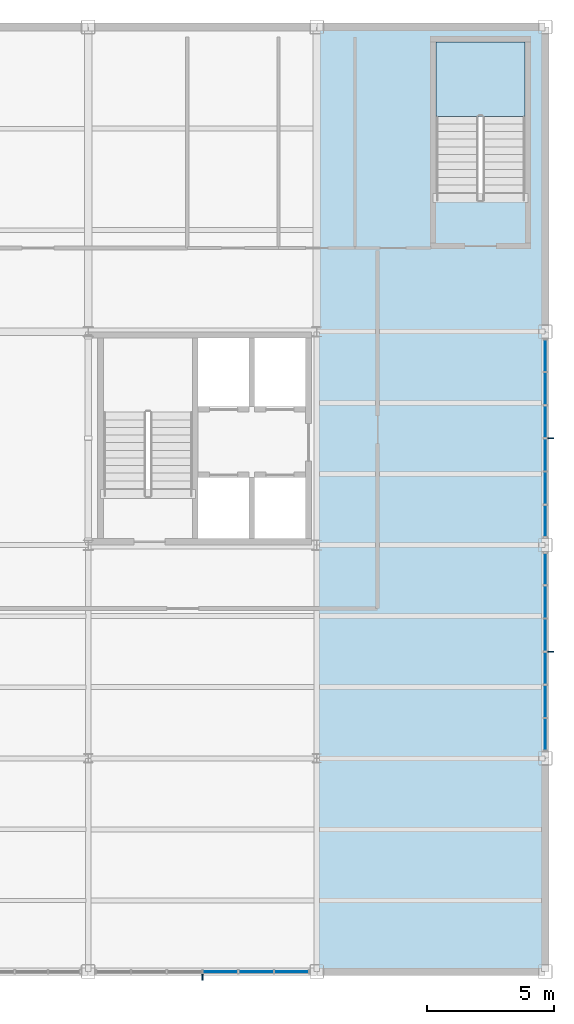
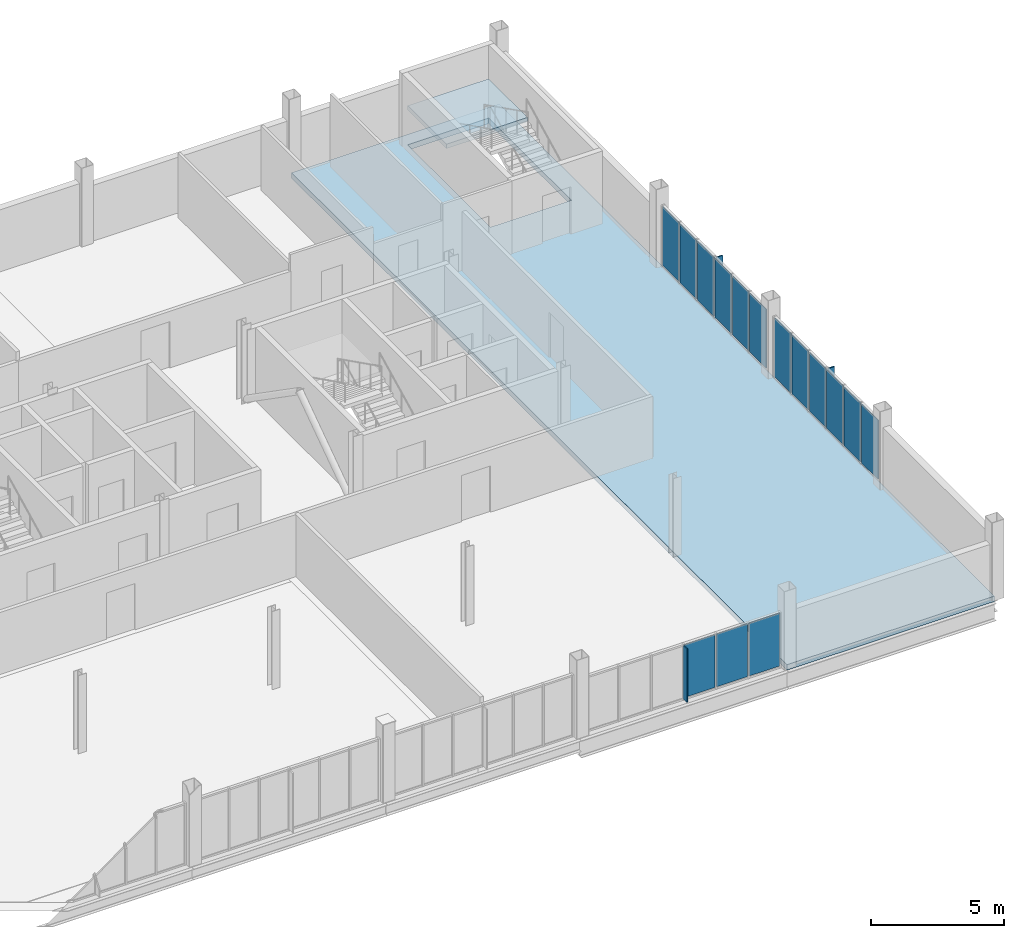
# One storey, part 13 of 18: 18 plates, 2 slabs, 4 elements without a shape of their own.
"""IFC4 building model written with IfcOpenShell, lengths in metres."""

from ifc_helpers import new_model, si_unit, direction, frame, origin, origin_2d, place, context, subcontext, project, spatial, polyline, rectangle, outline, extrude, material, layer, layer_set, type_object, element, aggregate, save


model = new_model("IFC4")

# Units and contexts
model_context = context("Model", 3, precision=1e-05, world=origin(), true_north=direction((0.0, 1.0)))
body_context = subcontext(model_context, "Body", "Model", "MODEL_VIEW")
ifc_project = project(units=[si_unit("LENGTHUNIT", "METRE"), si_unit("AREAUNIT", "SQUARE_METRE"), si_unit("VOLUMEUNIT", "CUBIC_METRE"), si_unit("PLANEANGLEUNIT", "RADIAN"), si_unit("MASSUNIT", "GRAM", prefix="KILO")], contexts=[model_context])

# Site, building, storey
site_placement = place(None, origin())
site = spatial("IfcSite", under=ifc_project, at=site_placement, CompositionType="ELEMENT")
building_placement = place(site_placement, origin())
building = spatial("IfcBuilding", under=site, at=building_placement, Name="Yukiwa Park Conservatory and Herbarium", CompositionType="ELEMENT")
storey_placement = place(building_placement, frame((0.0, 0.0, 24.60009765625)))
storey = spatial("IfcBuildingStorey", under=building, at=storey_placement, Name="L06", CompositionType="ELEMENT", Elevation=24.60009765625)

# Curtain wall, plates
ifc_material_1 = material(Name="Triple Low-E Insulated Glass", Category="glass")
ifc_layer_1 = layer(ifc_material_1, 0.248046875)
ifc_layer_set_1 = layer_set([ifc_layer_1], Name="Triple Low-E Insulated Glass")
curtain_wall_type_1 = type_object("IfcCurtainWallType", Name="CW-TOWER-LAB-S-1400", PredefinedType="NOTDEFINED", material=ifc_layer_set_1)
curtain_wall_1_placement = place(storey_placement, origin())
curtain_wall_1 = element("IfcCurtainWall", 1, at=curtain_wall_1_placement, inside=storey, type_object=curtain_wall_type_1, Name="L06 unitised curtain wall CW-L06-085", PredefinedType="NOTDEFINED")
ifc_material_2 = material(Name="Triple Low-E Insulated Glass", Category="glass")
ifc_layer_2 = layer(ifc_material_2, 0.035888671875)
ifc_layer_set_2 = layer_set([ifc_layer_2], Name="Triple Low-E Insulated Glass")
plate_type_1 = type_object("IfcPlateType", Name="PL-CW-GLZ-36", PredefinedType="CURTAIN_PANEL", material=ifc_layer_set_2)
plate_1_placement = place(storey_placement, frame((155.2041015625, 78.0, 0.06982421875), z_axis=(0.0, 0.0, 1.0), x_axis=(1.0, 0.0, 0.0)))
plate_1 = element("IfcPlate", 2, at=plate_1_placement, type_object=plate_type_1, Name="CW-L06-085 vision panel 4.1", PredefinedType="CURTAIN_PANEL", context=body_context, shape_type="SweptSolid", body=[
    extrude(rectangle(XDim=1.33837890625, YDim=0.035888671875, at=origin_2d()), origin(), (0.0, 0.0, 1.0), 2.4130859375),
])
plate_2_placement = place(storey_placement, frame((156.612548828125, 78.0, 0.06982421875), z_axis=(0.0, 0.0, 1.0), x_axis=(1.0, 0.0, 0.0)))
plate_2 = element("IfcPlate", 3, at=plate_2_placement, type_object=plate_type_1, Name="CW-L06-085 vision panel 5.1", PredefinedType="CURTAIN_PANEL", context=body_context, shape_type="SweptSolid", body=[
    extrude(rectangle(XDim=1.33837890625, YDim=0.035888671875, at=origin_2d()), origin(), (0.0, 0.0, 1.0), 2.4130859375),
])
plate_3_placement = place(storey_placement, frame((158.020751953125, 78.0, 0.06982421875), z_axis=(0.0, 0.0, 1.0), x_axis=(1.0, 0.0, 0.0)))
plate_3 = element("IfcPlate", 4, at=plate_3_placement, type_object=plate_type_1, Name="CW-L06-085 vision panel 6.1", PredefinedType="CURTAIN_PANEL", context=body_context, shape_type="SweptSolid", body=[
    extrude(rectangle(XDim=1.33837890625, YDim=0.035888671875, at=origin_2d()), origin(), (0.0, 0.0, 1.0), 2.4130859375),
])
aggregate(curtain_wall_1, [plate_1, plate_2, plate_3])

ifc_material_3 = material(Name="Triple Low-E Insulated Glass", Category="glass")
ifc_layer_3 = layer(ifc_material_3, 0.22412109375)
ifc_layer_set_3 = layer_set([ifc_layer_3], Name="Triple Low-E Insulated Glass")
curtain_wall_type_2 = type_object("IfcCurtainWallType", Name="CW-TOWER-CORNER-1400", PredefinedType="NOTDEFINED", material=ifc_layer_set_3)
curtain_wall_2_placement = place(storey_placement, origin())
curtain_wall_2 = element("IfcCurtainWall", 5, at=curtain_wall_2_placement, inside=storey, type_object=curtain_wall_type_2, Name="L06 unitised curtain wall CW-L06-086", PredefinedType="NOTDEFINED")
plate_4_placement = place(storey_placement, frame((168.0, 87.3291015625, 0.06982421875), z_axis=(0.0, 0.0, 1.0), x_axis=(0.0, 1.0, 0.0)))
plate_4 = element("IfcPlate", 6, at=plate_4_placement, type_object=plate_type_1, Name="CW-L06-086 vision panel 1.1", PredefinedType="CURTAIN_PANEL", context=body_context, shape_type="SweptSolid", body=[
    extrude(rectangle(XDim=1.23828125, YDim=0.035888671875, at=origin_2d()), origin(), (0.0, 0.0, 1.0), 2.705078125),
])
plate_5_placement = place(storey_placement, frame((168.0, 88.637451171875, 0.06982421875), z_axis=(0.0, 0.0, 1.0), x_axis=(0.0, 1.0, 0.0)))
plate_5 = element("IfcPlate", 7, at=plate_5_placement, type_object=plate_type_1, Name="CW-L06-086 vision panel 2.1", PredefinedType="CURTAIN_PANEL", context=body_context, shape_type="SweptSolid", body=[
    extrude(rectangle(XDim=1.23828125, YDim=0.035888671875, at=origin_2d()), origin(), (0.0, 0.0, 1.0), 2.705078125),
])
plate_6_placement = place(storey_placement, frame((168.0, 89.94580078125, 0.06982421875), z_axis=(0.0, 0.0, 1.0), x_axis=(0.0, 1.0, 0.0)))
plate_6 = element("IfcPlate", 8, at=plate_6_placement, type_object=plate_type_1, Name="CW-L06-086 vision panel 3.1", PredefinedType="CURTAIN_PANEL", context=body_context, shape_type="SweptSolid", body=[
    extrude(rectangle(XDim=1.23828125, YDim=0.035888671875, at=origin_2d()), origin(), (0.0, 0.0, 1.0), 2.705078125),
])
plate_7_placement = place(storey_placement, frame((168.0, 91.254150390625, 0.06982421875), z_axis=(0.0, 0.0, 1.0), x_axis=(0.0, 1.0, 0.0)))
plate_7 = element("IfcPlate", 9, at=plate_7_placement, type_object=plate_type_1, Name="CW-L06-086 vision panel 4.1", PredefinedType="CURTAIN_PANEL", context=body_context, shape_type="SweptSolid", body=[
    extrude(rectangle(XDim=1.23828125, YDim=0.035888671875, at=origin_2d()), origin(), (0.0, 0.0, 1.0), 2.705078125),
])
plate_8_placement = place(storey_placement, frame((168.0, 92.5625, 0.06982421875), z_axis=(0.0, 0.0, 1.0), x_axis=(0.0, 1.0, 0.0)))
plate_8 = element("IfcPlate", 10, at=plate_8_placement, type_object=plate_type_1, Name="CW-L06-086 vision panel 5.1", PredefinedType="CURTAIN_PANEL", context=body_context, shape_type="SweptSolid", body=[
    extrude(rectangle(XDim=1.23828125, YDim=0.035888671875, at=origin_2d()), origin(), (0.0, 0.0, 1.0), 2.705078125),
])
plate_9_placement = place(storey_placement, frame((168.0, 93.870849609375, 0.06982421875), z_axis=(0.0, 0.0, 1.0), x_axis=(0.0, 1.0, 0.0)))
plate_9 = element("IfcPlate", 11, at=plate_9_placement, type_object=plate_type_1, Name="CW-L06-086 vision panel 6.1", PredefinedType="CURTAIN_PANEL", context=body_context, shape_type="SweptSolid", body=[
    extrude(rectangle(XDim=1.23828125, YDim=0.035888671875, at=origin_2d()), origin(), (0.0, 0.0, 1.0), 2.705078125),
])
aggregate(curtain_wall_2, [plate_4, plate_5, plate_6, plate_7, plate_8, plate_9])

curtain_wall_3_placement = place(storey_placement, origin())
curtain_wall_3 = element("IfcCurtainWall", 12, at=curtain_wall_3_placement, inside=storey, type_object=curtain_wall_type_2, Name="L06 unitised curtain wall CW-L06-087", PredefinedType="NOTDEFINED")
plate_10_placement = place(storey_placement, frame((168.0, 95.729248046875, 0.06982421875), z_axis=(0.0, 0.0, 1.0), x_axis=(0.0, 1.0, 0.0)))
plate_10 = element("IfcPlate", 13, at=plate_10_placement, type_object=plate_type_1, Name="CW-L06-087 vision panel 1.1", PredefinedType="CURTAIN_PANEL", context=body_context, shape_type="SweptSolid", body=[
    extrude(rectangle(XDim=1.23828125, YDim=0.035888671875, at=origin_2d()), origin(), (0.0, 0.0, 1.0), 2.705078125),
])
plate_11_placement = place(storey_placement, frame((168.0, 97.03759765625, 0.06982421875), z_axis=(0.0, 0.0, 1.0), x_axis=(0.0, 1.0, 0.0)))
plate_11 = element("IfcPlate", 14, at=plate_11_placement, type_object=plate_type_1, Name="CW-L06-087 vision panel 2.1", PredefinedType="CURTAIN_PANEL", context=body_context, shape_type="SweptSolid", body=[
    extrude(rectangle(XDim=1.23828125, YDim=0.035888671875, at=origin_2d()), origin(), (0.0, 0.0, 1.0), 2.705078125),
])
plate_12_placement = place(storey_placement, frame((168.0, 98.345703125, 0.06982421875), z_axis=(0.0, 0.0, 1.0), x_axis=(0.0, 1.0, 0.0)))
plate_12 = element("IfcPlate", 15, at=plate_12_placement, type_object=plate_type_1, Name="CW-L06-087 vision panel 3.1", PredefinedType="CURTAIN_PANEL", context=body_context, shape_type="SweptSolid", body=[
    extrude(rectangle(XDim=1.23828125, YDim=0.035888671875, at=origin_2d()), origin(), (0.0, 0.0, 1.0), 2.705078125),
])
plate_13_placement = place(storey_placement, frame((168.0, 99.654296875, 0.06982421875), z_axis=(0.0, 0.0, 1.0), x_axis=(0.0, 1.0, 0.0)))
plate_13 = element("IfcPlate", 16, at=plate_13_placement, type_object=plate_type_1, Name="CW-L06-087 vision panel 4.1", PredefinedType="CURTAIN_PANEL", context=body_context, shape_type="SweptSolid", body=[
    extrude(rectangle(XDim=1.23828125, YDim=0.035888671875, at=origin_2d()), origin(), (0.0, 0.0, 1.0), 2.705078125),
])
plate_14_placement = place(storey_placement, frame((168.0, 100.96240234375, 0.06982421875), z_axis=(0.0, 0.0, 1.0), x_axis=(0.0, 1.0, 0.0)))
plate_14 = element("IfcPlate", 17, at=plate_14_placement, type_object=plate_type_1, Name="CW-L06-087 vision panel 5.1", PredefinedType="CURTAIN_PANEL", context=body_context, shape_type="SweptSolid", body=[
    extrude(rectangle(XDim=1.23828125, YDim=0.035888671875, at=origin_2d()), origin(), (0.0, 0.0, 1.0), 2.705078125),
])
plate_15_placement = place(storey_placement, frame((168.0, 102.270751953125, 0.06982421875), z_axis=(0.0, 0.0, 1.0), x_axis=(0.0, 1.0, 0.0)))
plate_15 = element("IfcPlate", 18, at=plate_15_placement, type_object=plate_type_1, Name="CW-L06-087 vision panel 6.1", PredefinedType="CURTAIN_PANEL", context=body_context, shape_type="SweptSolid", body=[
    extrude(rectangle(XDim=1.23828125, YDim=0.035888671875, at=origin_2d()), origin(), (0.0, 0.0, 1.0), 2.705078125),
])
aggregate(curtain_wall_3, [plate_10, plate_11, plate_12, plate_13, plate_14, plate_15])

# Plates
ifc_material_4 = material(Name="Anodised Aluminium", Category="aluminium")
ifc_layer_4 = layer(ifc_material_4, 0.050048828125)
ifc_layer_set_4 = layer_set([ifc_layer_4], Name="Anodised Aluminium")
plate_type_2 = type_object("IfcPlateType", Name="PL-FIN-ALU-50", PredefinedType="USERDEFINED", material=ifc_layer_set_4)
plate_16_placement = place(storey_placement, frame((154.5, 77.81005859375, 0.059814453125), z_axis=(0.0, 0.0, 1.0), x_axis=(1.0, 0.0, 0.0)))
element("IfcPlate", 19, at=plate_16_placement, inside=storey, type_object=plate_type_2, Name="CW-L06-085 exterior vertical shading fin", ObjectType="SHADING FIN", PredefinedType="USERDEFINED", context=body_context, shape_type="SweptSolid", body=[
    extrude(rectangle(XDim=0.050048828125, YDim=0.280029296875, at=origin_2d()), origin(), (0.0, 0.0, 1.0), 2.43310546875),
])
for number, where, z_axis, x_axis, name in (
    (20, (168.18994140625, 90.60009765625, 0.059814453125), (0.0, 0.0, 1.0), (0.0, 1.0, 0.0), "CW-L06-086 exterior vertical shading fin"),
    (21, (168.18994140625, 99.0, 0.059814453125), (0.0, 0.0, 1.0), (0.0, 1.0, 0.0), "CW-L06-087 exterior vertical shading fin"),
):
    element("IfcPlate", number, at=place(storey_placement, frame(where, z_axis=z_axis, x_axis=x_axis)), inside=storey, type_object=plate_type_2, Name=name, ObjectType="SHADING FIN", PredefinedType="USERDEFINED", context=body_context, shape_type="SweptSolid", body=[
        extrude(rectangle(XDim=0.050048828125, YDim=0.280029296875, at=origin_2d()), origin(), (0.0, 0.0, 1.0), 2.72509765625),
    ])

# Slab
ifc_material_5 = material(Name="Concrete C40", Category="concrete")
ifc_layer_5 = layer(ifc_material_5, 0.25)
ifc_layer_set_5 = layer_set([ifc_layer_5], Name="Concrete C40")
slab_type_1 = type_object("IfcSlabType", Name="SL-FLR-250", PredefinedType="FLOOR", material=ifc_layer_set_5)
slab_1_placement = place(storey_placement, frame((0.0, 0.0, -0.25)))
element("IfcSlab", 22, at=slab_1_placement, inside=storey, type_object=slab_type_1, Name="L06 composite structural floor slab V5E", PredefinedType="FLOOR", context=body_context, shape_type="SweptSolid", body=[
    extrude(outline(polyline([(168.0, 78.0), (159.0, 78.0), (159.0, 115.199951171875), (168.0, 115.199951171875), (168.0, 78.0)]), holes=[polyline([(167.199951171875, 114.60009765625), (163.68994140625, 114.60009765625), (163.68994140625, 108.3798828125), (167.199951171875, 108.3798828125), (167.199951171875, 114.60009765625)])]), origin(), (0.0, 0.0, 1.0), 0.25),
])

# Stair, slab
ifc_material_6 = material(Name="Concrete C40", Category="concrete")
stair_type = type_object("IfcStairType", Name="ST-DOGLEG-ST-T3", PredefinedType="HALF_TURN_STAIR", material=ifc_material_6)
stair_placement = place(storey_placement, origin())
stair = element("IfcStair", 23, at=stair_placement, inside=storey, type_object=stair_type, Name="L06 Protected Smoke-Proof Stair ST-T3", PredefinedType="HALF_TURN_STAIR")
ifc_material_7 = material(Name="Concrete C40", Category="concrete")
ifc_layer_6 = layer(ifc_material_7, 0.199951171875)
ifc_layer_set_6 = layer_set([ifc_layer_6], Name="Concrete C40")
slab_type_2 = type_object("IfcSlabType", Name="SL-LANDING-220", PredefinedType="LANDING", material=ifc_layer_set_6)
slab_2_placement = place(storey_placement, frame((0.0, 0.0, 1.599853515625)))
slab_2 = element("IfcSlab", 24, at=slab_2_placement, type_object=slab_type_2, Name="ST-T3 landing 1", PredefinedType="LANDING", context=body_context, shape_type="SweptSolid", body=[
    extrude(outline(polyline([(167.199951171875, 111.679931640625), (167.199951171875, 114.60009765625), (163.68994140625, 114.60009765625), (163.68994140625, 111.679931640625), (167.199951171875, 111.679931640625)])), origin(), (0.0, 0.0, 1.0), 0.199951171875),
])
aggregate(stair, [slab_2])

save(model, "model.ifc")
